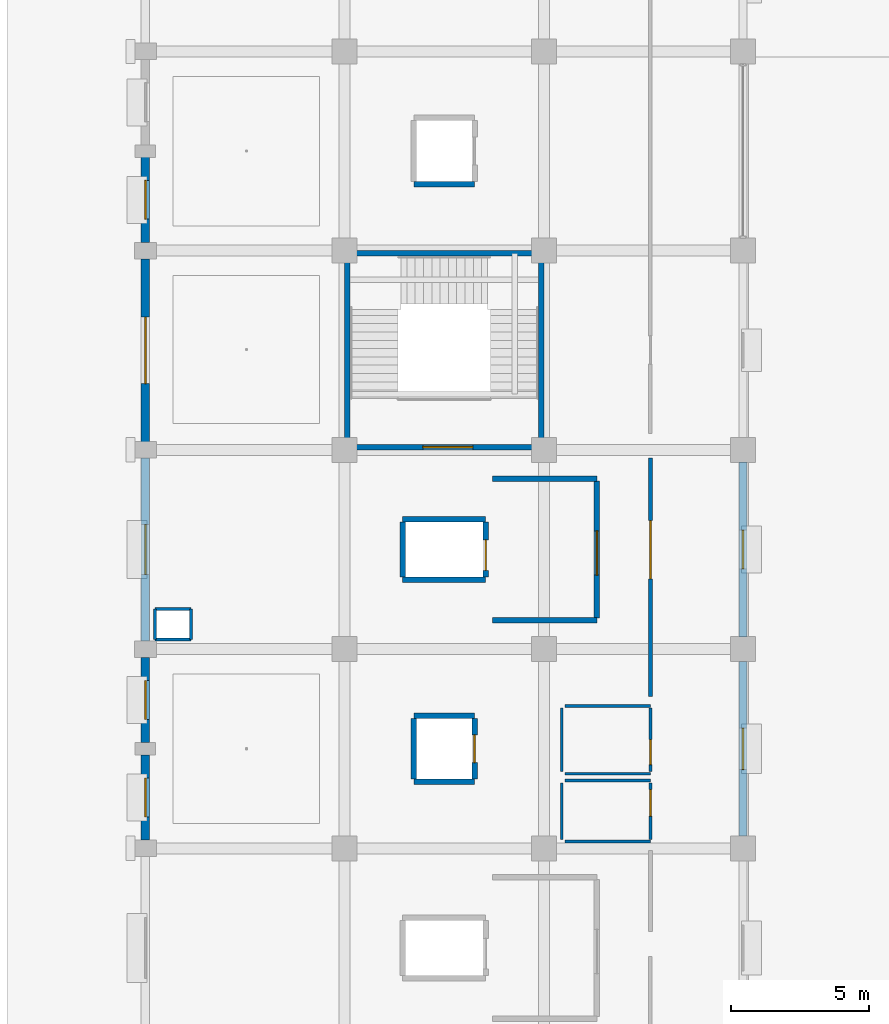
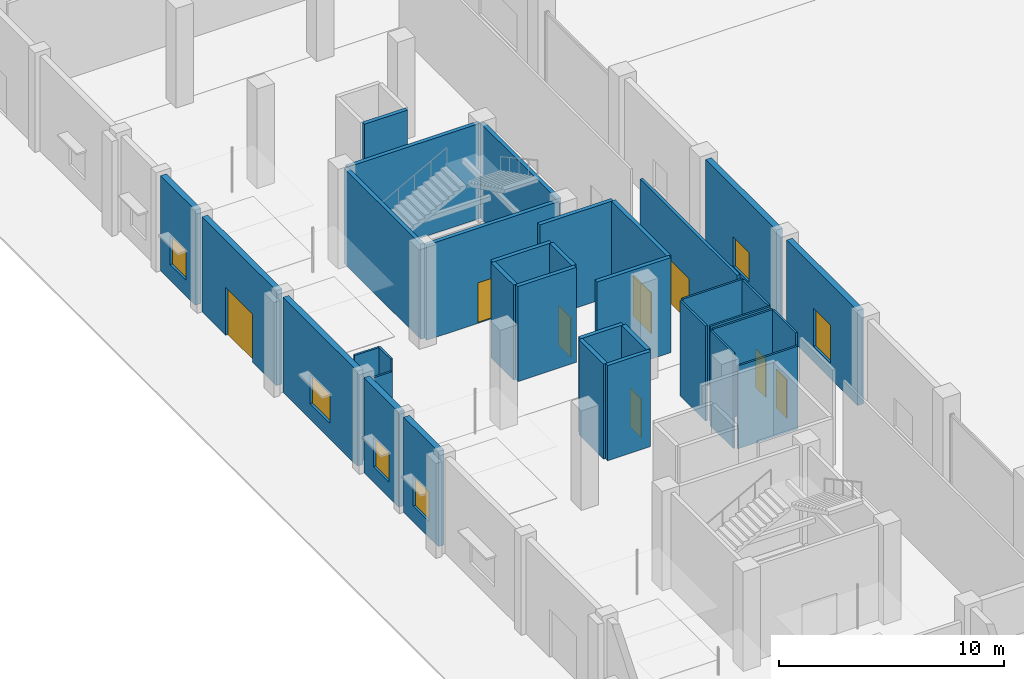
# One storey, part 60 of 90: 36 walls, 8 doors, 6 windows, 14 openings.
"""IFC4 building model written with IfcOpenShell, lengths in metres."""

from ifc_helpers import new_model, si_unit, direction, frame, frame_2d, origin, place, context, subcontext, project, spatial, rectangle, extrude, material, layer, layer_set, type_object, element, fill, save


model = new_model("IFC4")

# Units and contexts
model_context = context("Model", 3, precision=1e-05, world=origin(), true_north=direction((0.0, 1.0)))
body_context = subcontext(model_context, "Body", "Model", "MODEL_VIEW")
ifc_project = project(units=[si_unit("LENGTHUNIT", "METRE"), si_unit("AREAUNIT", "SQUARE_METRE"), si_unit("VOLUMEUNIT", "CUBIC_METRE"), si_unit("PLANEANGLEUNIT", "RADIAN"), si_unit("MASSUNIT", "GRAM", prefix="KILO")], contexts=[model_context])

# Site, building, storey
site_placement = place(None, origin())
site = spatial("IfcSite", under=ifc_project, at=site_placement, CompositionType="ELEMENT")
building_placement = place(site_placement, origin())
building = spatial("IfcBuilding", under=site, at=building_placement, Name="Kangsadwip Square Police Headquarters", CompositionType="ELEMENT")
storey_placement = place(building_placement, origin())
storey = spatial("IfcBuildingStorey", under=building, at=storey_placement, Name="L00", CompositionType="ELEMENT", Elevation=0.0)

# Wall, opening, door
ifc_material_1 = material(Name="Autoclaved aerated concrete blockwork masonry", Category="masonry")
ifc_layer_1 = layer(ifc_material_1, 0.14990234375)
ifc_layer_set_1 = layer_set([ifc_layer_1], Name="Autoclaved aerated concrete blockwork masonry")
wall_type_1 = type_object("IfcWallType", Name="BlockPartition150", PredefinedType="PARTITIONING", material=ifc_layer_set_1)
wall_1_placement = place(storey_placement, frame((18.25, 63.080078125, 0.0), z_axis=(0.0, 0.0, 1.0), x_axis=(0.0, 1.0, 0.0)))
wall_1 = element("IfcWall", 1, at=wall_1_placement, inside=storey, type_object=wall_type_1, Name="Interior Wall WI-L00-0693", PredefinedType="PARTITIONING", context=body_context, shape_type="SweptSolid", body=[
    extrude(rectangle(XDim=8.619873046875, YDim=0.14990234375, at=frame_2d((4.31005859375, 0.0))), origin(), (0.0, 0.0, 1.0), 5.159912109375),
])
opening_1_placement = place(wall_1_placement, frame((4.262939453125, 0.0, 0.0)))
opening_1 = element("IfcOpeningElement", 2, at=opening_1_placement, cuts=wall_1, Name="Opening ID-21", PredefinedType="OPENING", context=body_context, shape_type="SweptSolid", body=[
    extrude(rectangle(XDim=2.10009765625, YDim=2.39990234375, at=frame_2d((1.050048828125, 1.199951171875))), frame((0.0, 0.0849609375, 0.0), z_axis=(0.0, -1.0, 0.0), x_axis=(1.0, 0.0, 0.0)), (0.0, 0.0, 1.0), 0.169921875),
])
ifc_material_2 = material(Name="Solid-core seasoned teak hardwood architectural door", Category="wood")
door_type_1 = type_object("IfcDoorType", Name="HallDoubleDoor2100x2400", OperationType="DOUBLE_DOOR_SINGLE_SWING", PredefinedType="DOOR", material=ifc_material_2)
door_1_placement = place(opening_1_placement, origin())
door_1 = element("IfcDoor", 3, at=door_1_placement, inside=storey, type_object=door_type_1, Name="Interior Door ID-L00-0143", OperationType="DOUBLE_DOOR_SINGLE_SWING", OverallHeight=2.39990234375, OverallWidth=2.10009765625, PredefinedType="DOOR", context=body_context, shape_type="SweptSolid", body=[
    extrude(rectangle(XDim=2.10009765625, YDim=2.39990234375, at=frame_2d((1.050048828125, 1.199951171875))), frame((0.0, 0.02490234375, 0.0), z_axis=(0.0, -1.0, 0.0), x_axis=(1.0, 0.0, 0.0)), (0.0, 0.0, 1.0), 0.050048828125),
])
fill(opening_1, door_1)

ifc_material_3 = material(Name="Concrete M40 (40 MPa)", Category="concrete")
ifc_layer_2 = layer(ifc_material_3, 0.199951171875)
ifc_layer_set_2 = layer_set([ifc_layer_2], Name="Concrete M40 (40 MPa)")
wall_type_2 = type_object("IfcWallType", Name="CoreShearWall200", PredefinedType="SHEAR", material=ifc_layer_set_2)
wall_2_placement = place(storey_placement, frame((7.39990234375, 72.10009765625, 0.0), z_axis=(0.0, 0.0, 1.0), x_axis=(1.0, 0.0, 0.0)))
wall_2 = element("IfcWall", 4, at=wall_2_placement, inside=storey, type_object=wall_type_2, Name="Interior Wall WI-L00-0053", PredefinedType="SHEAR", context=body_context, shape_type="SweptSolid", body=[
    extrude(rectangle(XDim=6.800048828125, YDim=0.199951171875, at=frame_2d((3.39990234375, 0.0))), origin(), (0.0, 0.0, 1.0), 5.159912109375),
])
opening_2_placement = place(wall_2_placement, frame((2.632080078125, 0.0, 0.0)))
opening_2 = element("IfcOpeningElement", 5, at=opening_2_placement, cuts=wall_2, Name="Opening FD-18", PredefinedType="OPENING", context=body_context, shape_type="SweptSolid", body=[
    extrude(rectangle(XDim=1.800048828125, YDim=2.199951171875, at=frame_2d((0.89990234375, 1.10009765625))), frame((0.0, 0.10986328125, 0.0), z_axis=(0.0, -1.0, 0.0), x_axis=(1.0, 0.0, 0.0)), (0.0, 0.0, 1.0), 0.219970703125),
])
ifc_material_4 = material(Name="Insulated galvanized steel fire-rated door assembly", Category="steel")
door_type_2 = type_object("IfcDoorType", Name="StairFireDoor1800x2200", OperationType="DOUBLE_DOOR_SINGLE_SWING", PredefinedType="DOOR", material=ifc_material_4)
door_2_placement = place(opening_2_placement, origin())
door_2 = element("IfcDoor", 6, at=door_2_placement, inside=storey, type_object=door_type_2, Name="Interior Door ID-L00-0011", OperationType="DOUBLE_DOOR_SINGLE_SWING", OverallHeight=2.199951171875, OverallWidth=1.800048828125, PredefinedType="DOOR", context=body_context, shape_type="SweptSolid", body=[
    extrude(rectangle(XDim=1.800048828125, YDim=2.199951171875, at=frame_2d((0.89990234375, 1.10009765625))), frame((0.0, 0.02490234375, 0.0), z_axis=(0.0, -1.0, 0.0), x_axis=(1.0, 0.0, 0.0)), (0.0, 0.0, 1.0), 0.050048828125),
])
fill(opening_2, door_2)

# Walls
for number, where, z_axis, x_axis, name in (
    (7, (7.39990234375, 79.10009765625, 0.0), (0.0, 0.0, 1.0), (1.0, 0.0, 0.0), "Interior Wall WI-L00-0054"),
    (8, (7.300048828125, 72.199951171875, 0.0), (0.0, 0.0, 1.0), (0.0, 1.0, 0.0), "Interior Wall WI-L00-0055"),
    (9, (14.300048828125, 72.199951171875, 0.0), (0.0, 0.0, 1.0), (0.0, 1.0, 0.0), "Interior Wall WI-L00-0056"),
):
    element("IfcWall", number, at=place(storey_placement, frame(where, z_axis=z_axis, x_axis=x_axis)), inside=storey, type_object=wall_type_2, Name=name, PredefinedType="SHEAR", context=body_context, shape_type="SweptSolid", body=[
        extrude(rectangle(XDim=6.800048828125, YDim=0.199951171875, at=frame_2d((3.39990234375, 0.0))), origin(), (0.0, 0.0, 1.0), 5.159912109375),
    ])
for number, where, z_axis, x_axis, name in (
    (10, (9.300048828125, 67.300048828125, 0.0), (0.0, 0.0, 1.0), (1.0, 0.0, 0.0), "Interior Wall WI-L00-0275"),
    (11, (9.300048828125, 69.5, 0.0), (0.0, 0.0, 1.0), (1.0, 0.0, 0.0), "Interior Wall WI-L00-0276"),
):
    element("IfcWall", number, at=place(storey_placement, frame(where, z_axis=z_axis, x_axis=x_axis)), inside=storey, type_object=wall_type_2, Name=name, PredefinedType="SHEAR", context=body_context, shape_type="SweptSolid", body=[
        extrude(rectangle(XDim=3.0, YDim=0.199951171875, at=frame_2d((1.5, 0.0))), origin(), (0.0, 0.0, 1.0), 5.159912109375),
    ])
wall_3_placement = place(storey_placement, frame((9.300048828125, 67.39990234375, 0.0), z_axis=(0.0, 0.0, 1.0), x_axis=(0.0, 1.0, 0.0)))
element("IfcWall", 12, at=wall_3_placement, inside=storey, type_object=wall_type_2, Name="Interior Wall WI-L00-0277", PredefinedType="SHEAR", context=body_context, shape_type="SweptSolid", body=[
    extrude(rectangle(XDim=2.0, YDim=0.199951171875, at=frame_2d((1.0, 0.0))), origin(), (0.0, 0.0, 1.0), 5.159912109375),
])

# Wall, opening, door
wall_4_placement = place(storey_placement, frame((12.300048828125, 67.39990234375, 0.0), z_axis=(0.0, 0.0, 1.0), x_axis=(0.0, 1.0, 0.0)))
wall_4 = element("IfcWall", 13, at=wall_4_placement, inside=storey, type_object=wall_type_2, Name="Interior Wall WI-L00-0278", PredefinedType="SHEAR", context=body_context, shape_type="SweptSolid", body=[
    extrude(rectangle(XDim=2.0, YDim=0.199951171875, at=frame_2d((1.0, 0.0))), origin(), (0.0, 0.0, 1.0), 5.159912109375),
])
opening_3_placement = place(wall_4_placement, frame((0.25, 0.0, 0.0)))
opening_3 = element("IfcOpeningElement", 14, at=opening_3_placement, cuts=wall_4, Name="Opening LD-011", PredefinedType="OPENING", context=body_context, shape_type="SweptSolid", body=[
    extrude(rectangle(XDim=1.10009765625, YDim=2.14990234375, at=frame_2d((0.550048828125, 1.074951171875))), frame((0.0, 0.10986328125, 0.0), z_axis=(0.0, -1.0, 0.0), x_axis=(1.0, 0.0, 0.0)), (0.0, 0.0, 1.0), 0.219970703125),
])
ifc_material_5 = material(Name="Brushed stainless steel automatic sliding lift landing door", Category="steel")
door_type_3 = type_object("IfcDoorType", Name="LiftLandingDoor1100x2150", OperationType="DOUBLE_DOOR_SLIDING", PredefinedType="DOOR", material=ifc_material_5)
door_3_placement = place(opening_3_placement, origin())
door_3 = element("IfcDoor", 15, at=door_3_placement, inside=storey, type_object=door_type_3, Name="Interior Door LD-011", OperationType="DOUBLE_DOOR_SLIDING", OverallHeight=2.14990234375, OverallWidth=1.10009765625, PredefinedType="DOOR", context=body_context, shape_type="SweptSolid", body=[
    extrude(rectangle(XDim=1.10009765625, YDim=2.14990234375, at=frame_2d((0.550048828125, 1.074951171875))), frame((0.0, 0.02490234375, 0.0), z_axis=(0.0, -1.0, 0.0), x_axis=(1.0, 0.0, 0.0)), (0.0, 0.0, 1.0), 0.050048828125),
])
fill(opening_3, door_3)

# Walls
for number, where, z_axis, x_axis, name in (
    (16, (9.699951171875, 60.0, 0.0), (0.0, 0.0, 1.0), (1.0, 0.0, 0.0), "Interior Wall WI-L00-0351"),
    (17, (9.699951171875, 62.39990234375, 0.0), (0.0, 0.0, 1.0), (1.0, 0.0, 0.0), "Interior Wall WI-L00-0352"),
    (18, (9.699951171875, 60.10009765625, 0.0), (0.0, 0.0, 1.0), (0.0, 1.0, 0.0), "Interior Wall WI-L00-0353"),
):
    element("IfcWall", number, at=place(storey_placement, frame(where, z_axis=z_axis, x_axis=x_axis)), inside=storey, type_object=wall_type_2, Name=name, PredefinedType="SHEAR", context=body_context, shape_type="SweptSolid", body=[
        extrude(rectangle(XDim=2.199951171875, YDim=0.199951171875, at=frame_2d((1.10009765625, 0.0))), origin(), (0.0, 0.0, 1.0), 5.159912109375),
    ])

# Wall, opening, door
wall_5_placement = place(storey_placement, frame((11.89990234375, 60.10009765625, 0.0), z_axis=(0.0, 0.0, 1.0), x_axis=(0.0, 1.0, 0.0)))
wall_5 = element("IfcWall", 19, at=wall_5_placement, inside=storey, type_object=wall_type_2, Name="Interior Wall WI-L00-0354", PredefinedType="SHEAR", context=body_context, shape_type="SweptSolid", body=[
    extrude(rectangle(XDim=2.199951171875, YDim=0.199951171875, at=frame_2d((1.10009765625, 0.0))), origin(), (0.0, 0.0, 1.0), 5.159912109375),
])
opening_4_placement = place(wall_5_placement, frame((0.60009765625, 0.0, 0.0)))
opening_4 = element("IfcOpeningElement", 20, at=opening_4_placement, cuts=wall_5, Name="Opening LD-028", PredefinedType="OPENING", context=body_context, shape_type="SweptSolid", body=[
    extrude(rectangle(XDim=1.0, YDim=2.10009765625, at=frame_2d((0.5, 1.050048828125))), frame((0.0, 0.10986328125, 0.0), z_axis=(0.0, -1.0, 0.0), x_axis=(1.0, 0.0, 0.0)), (0.0, 0.0, 1.0), 0.219970703125),
])
ifc_material_6 = material(Name="Brushed stainless steel automatic sliding lift landing door", Category="steel")
door_type_4 = type_object("IfcDoorType", Name="LiftLandingDoor1000x2100", OperationType="DOUBLE_DOOR_SLIDING", PredefinedType="DOOR", material=ifc_material_6)
door_4_placement = place(opening_4_placement, origin())
door_4 = element("IfcDoor", 21, at=door_4_placement, inside=storey, type_object=door_type_4, Name="Interior Door LD-028", OperationType="DOUBLE_DOOR_SLIDING", OverallHeight=2.10009765625, OverallWidth=1.0, PredefinedType="DOOR", context=body_context, shape_type="SweptSolid", body=[
    extrude(rectangle(XDim=1.0, YDim=2.10009765625, at=frame_2d((0.5, 1.050048828125))), frame((0.0, 0.02490234375, 0.0), z_axis=(0.0, -1.0, 0.0), x_axis=(1.0, 0.0, 0.0)), (0.0, 0.0, 1.0), 0.050048828125),
])
fill(opening_4, door_4)

# Wall
wall_6_placement = place(storey_placement, frame((9.699951171875, 81.60009765625, 0.0), z_axis=(0.0, 0.0, 1.0), x_axis=(1.0, 0.0, 0.0)))
element("IfcWall", 22, at=wall_6_placement, inside=storey, type_object=wall_type_2, Name="Interior Wall WI-L00-0391", PredefinedType="SHEAR", context=body_context, shape_type="SweptSolid", body=[
    extrude(rectangle(XDim=2.199951171875, YDim=0.199951171875, at=frame_2d((1.10009765625, 0.0))), origin(), (0.0, 0.0, 1.0), 5.159912109375),
])

# Wall, opening, door
ifc_material_7 = material(Name="Concrete M40 (40 MPa)", Category="concrete")
ifc_layer_3 = layer(ifc_material_7, 0.199951171875)
ifc_layer_set_3 = layer_set([ifc_layer_3], Name="Concrete M40 (40 MPa)")
wall_type_3 = type_object("IfcWallType", Name="CustodySecurityWall200", PredefinedType="SOLIDWALL", material=ifc_layer_set_3)
wall_7_placement = place(storey_placement, frame((16.320068359375, 65.929931640625, 0.0), z_axis=(0.0, 0.0, 1.0), x_axis=(0.0, 1.0, 0.0)))
wall_7 = element("IfcWall", 23, at=wall_7_placement, inside=storey, type_object=wall_type_3, Name="Interior Wall WI-L00-0663", PredefinedType="SOLIDWALL", context=body_context, shape_type="SweptSolid", body=[
    extrude(rectangle(XDim=4.940185546875, YDim=0.199951171875, at=frame_2d((2.47021484375, 0.0))), origin(), (0.0, 0.0, 1.0), 5.159912109375),
])
opening_5_placement = place(wall_7_placement, frame((1.541015625, 0.0, 0.0)))
opening_5 = element("IfcOpeningElement", 24, at=opening_5_placement, cuts=wall_7, Name="Opening FD-16", PredefinedType="OPENING", context=body_context, shape_type="SweptSolid", body=[
    extrude(rectangle(XDim=1.60009765625, YDim=2.199951171875, at=frame_2d((0.800048828125, 1.10009765625))), frame((0.0, 0.10986328125, 0.0), z_axis=(0.0, -1.0, 0.0), x_axis=(1.0, 0.0, 0.0)), (0.0, 0.0, 1.0), 0.219970703125),
])
ifc_material_8 = material(Name="Insulated galvanized steel fire-rated door assembly", Category="steel")
door_type_5 = type_object("IfcDoorType", Name="FfLobbyFireDoor1600x2200", OperationType="DOUBLE_DOOR_SINGLE_SWING", PredefinedType="DOOR", material=ifc_material_8)
door_5_placement = place(opening_5_placement, origin())
door_5 = element("IfcDoor", 25, at=door_5_placement, inside=storey, type_object=door_type_5, Name="Interior Door ID-L00-0127", OperationType="DOUBLE_DOOR_SINGLE_SWING", OverallHeight=2.199951171875, OverallWidth=1.60009765625, PredefinedType="DOOR", context=body_context, shape_type="SweptSolid", body=[
    extrude(rectangle(XDim=1.60009765625, YDim=2.199951171875, at=frame_2d((0.800048828125, 1.10009765625))), frame((0.0, 0.02490234375, 0.0), z_axis=(0.0, -1.0, 0.0), x_axis=(1.0, 0.0, 0.0)), (0.0, 0.0, 1.0), 0.050048828125),
])
fill(opening_5, door_5)

# Walls
for number, where, z_axis, x_axis, name in (
    (26, (12.5400390625, 65.85009765625, 0.0), (0.0, 0.0, 1.0), (1.0, 0.0, 0.0), "Interior Wall WI-L00-0664"),
    (27, (12.5400390625, 70.949951171875, 0.0), (0.0, 0.0, 1.0), (1.0, 0.0, 0.0), "Interior Wall WI-L00-0665"),
):
    element("IfcWall", number, at=place(storey_placement, frame(where, z_axis=z_axis, x_axis=x_axis)), inside=storey, type_object=wall_type_3, Name=name, PredefinedType="SOLIDWALL", context=body_context, shape_type="SweptSolid", body=[
        extrude(rectangle(XDim=3.780029296875, YDim=0.199951171875, at=frame_2d((1.89013671875, 0.0))), origin(), (0.0, 0.0, 1.0), 5.159912109375),
    ])

# Wall, opening, window
ifc_material_9 = material(Name="Glazed architectural terracotta masonry rainscreen", Category="masonry")
ifc_layer_4 = layer(ifc_material_9, 0.300048828125)
ifc_layer_set_4 = layer_set([ifc_layer_4], Name="Glazed architectural terracotta masonry rainscreen")
wall_type_4 = type_object("IfcWallType", Name="PlinthArcadeWall300", PredefinedType="SOLIDWALL", material=ifc_layer_set_4)
wall_8_placement = place(storey_placement, frame((0.0, 57.89501953125, 0.0), z_axis=(0.0, 0.0, 1.0), x_axis=(0.0, 1.0, 0.0)))
wall_8 = element("IfcWall", 28, at=wall_8_placement, inside=storey, type_object=wall_type_4, Name="Exterior Wall WE-L00-172", PredefinedType="SOLIDWALL", context=body_context, shape_type="SweptSolid", body=[
    extrude(rectangle(XDim=3.0849609375, YDim=0.300048828125, at=frame_2d((1.54248046875, 0.0))), origin(), (0.0, 0.0, 1.0), 5.159912109375),
])
opening_6_placement = place(wall_8_placement, frame((0.842529296875, 0.0, 0.85009765625)))
opening_6 = element("IfcOpeningElement", 29, at=opening_6_placement, cuts=wall_8, Name="Opening WN-13", PredefinedType="OPENING", context=body_context, shape_type="SweptSolid", body=[
    extrude(rectangle(XDim=1.39990234375, YDim=1.60009765625, at=frame_2d((0.699951171875, 0.800048828125))), frame((0.0, 0.159912109375, 0.0), z_axis=(0.0, -1.0, 0.0), x_axis=(1.0, 0.0, 0.0)), (0.0, 0.0, 1.0), 0.320068359375),
])
ifc_material_10 = material(Name="Double-glazed solar-control low-E safety glass", Category="glass")
window_type_1 = type_object("IfcWindowType", Name="OfficeCasementWin1400x1600", PartitioningType="SINGLE_PANEL", PredefinedType="WINDOW", material=ifc_material_10)
window_1_placement = place(opening_6_placement, origin())
window_1 = element("IfcWindow", 30, at=window_1_placement, inside=storey, type_object=window_type_1, Name="Window WN-L00-0030", OverallHeight=1.60009765625, OverallWidth=1.39990234375, PartitioningType="SINGLE_PANEL", PredefinedType="WINDOW", context=body_context, shape_type="SweptSolid", body=[
    extrude(rectangle(XDim=1.39990234375, YDim=1.60009765625, at=frame_2d((0.699951171875, 0.800048828125))), frame((0.0, 0.030029296875, 0.0), z_axis=(0.0, -1.0, 0.0), x_axis=(1.0, 0.0, 0.0)), (0.0, 0.0, 1.0), 0.06005859375),
])
fill(opening_6, window_1)

wall_9_placement = place(storey_placement, frame((0.0, 61.419921875, 0.0), z_axis=(0.0, 0.0, 1.0), x_axis=(0.0, 1.0, 0.0)))
wall_9 = element("IfcWall", 31, at=wall_9_placement, inside=storey, type_object=wall_type_4, Name="Exterior Wall WE-L00-173", PredefinedType="SOLIDWALL", context=body_context, shape_type="SweptSolid", body=[
    extrude(rectangle(XDim=3.0849609375, YDim=0.300048828125, at=frame_2d((1.54248046875, 0.0))), origin(), (0.0, 0.0, 1.0), 5.159912109375),
])
opening_7_placement = place(wall_9_placement, frame((0.842529296875, 0.0, 0.85009765625)))
opening_7 = element("IfcOpeningElement", 32, at=opening_7_placement, cuts=wall_9, Name="Opening WN-13", PredefinedType="OPENING", context=body_context, shape_type="SweptSolid", body=[
    extrude(rectangle(XDim=1.39990234375, YDim=1.60009765625, at=frame_2d((0.699951171875, 0.800048828125))), frame((0.0, 0.159912109375, 0.0), z_axis=(0.0, -1.0, 0.0), x_axis=(1.0, 0.0, 0.0)), (0.0, 0.0, 1.0), 0.320068359375),
])
window_2_placement = place(opening_7_placement, origin())
window_2 = element("IfcWindow", 33, at=window_2_placement, inside=storey, type_object=window_type_1, Name="Window WN-L00-0031", OverallHeight=1.60009765625, OverallWidth=1.39990234375, PartitioningType="SINGLE_PANEL", PredefinedType="WINDOW", context=body_context, shape_type="SweptSolid", body=[
    extrude(rectangle(XDim=1.39990234375, YDim=1.60009765625, at=frame_2d((0.699951171875, 0.800048828125))), frame((0.0, 0.030029296875, 0.0), z_axis=(0.0, -1.0, 0.0), x_axis=(1.0, 0.0, 0.0)), (0.0, 0.0, 1.0), 0.06005859375),
])
fill(opening_7, window_2)

wall_10_placement = place(storey_placement, frame((0.0, 65.094970703125, 0.0), z_axis=(0.0, 0.0, 1.0), x_axis=(0.0, 1.0, 0.0)))
wall_10 = element("IfcWall", 34, at=wall_10_placement, inside=storey, type_object=wall_type_4, Name="Exterior Wall WE-L00-174", PredefinedType="SOLIDWALL", context=body_context, shape_type="SweptSolid", body=[
    extrude(rectangle(XDim=6.610107421875, YDim=0.300048828125, at=frame_2d((3.30517578125, 0.0))), origin(), (0.0, 0.0, 1.0), 5.159912109375),
])
opening_8_placement = place(wall_10_placement, frame((2.405029296875, 0.0, 0.85009765625)))
opening_8 = element("IfcOpeningElement", 35, at=opening_8_placement, cuts=wall_10, Name="Opening WN-10", PredefinedType="OPENING", context=body_context, shape_type="SweptSolid", body=[
    extrude(rectangle(XDim=1.800048828125, YDim=1.60009765625, at=frame_2d((0.89990234375, 0.800048828125))), frame((0.0, 0.159912109375, 0.0), z_axis=(0.0, -1.0, 0.0), x_axis=(1.0, 0.0, 0.0)), (0.0, 0.0, 1.0), 0.320068359375),
])
ifc_material_11 = material(Name="Double-glazed solar-control low-E safety glass", Category="glass")
window_type_2 = type_object("IfcWindowType", Name="LabCleanViewWin1800x1600", PartitioningType="DOUBLE_PANEL_VERTICAL", PredefinedType="WINDOW", material=ifc_material_11)
window_3_placement = place(opening_8_placement, origin())
window_3 = element("IfcWindow", 36, at=window_3_placement, inside=storey, type_object=window_type_2, Name="Window WN-L00-0032", OverallHeight=1.60009765625, OverallWidth=1.800048828125, PartitioningType="SINGLE_PANEL", PredefinedType="WINDOW", context=body_context, shape_type="SweptSolid", body=[
    extrude(rectangle(XDim=1.800048828125, YDim=1.60009765625, at=frame_2d((0.89990234375, 0.800048828125))), frame((0.0, 0.030029296875, 0.0), z_axis=(0.0, -1.0, 0.0), x_axis=(1.0, 0.0, 0.0)), (0.0, 0.0, 1.0), 0.06005859375),
])
fill(opening_8, window_3)

# Wall, opening, door
wall_11_placement = place(storey_placement, frame((0.0, 72.294921875, 0.0), z_axis=(0.0, 0.0, 1.0), x_axis=(0.0, 1.0, 0.0)))
wall_11 = element("IfcWall", 37, at=wall_11_placement, inside=storey, type_object=wall_type_4, Name="Exterior Wall WE-L00-175", PredefinedType="SOLIDWALL", context=body_context, shape_type="SweptSolid", body=[
    extrude(rectangle(XDim=6.610107421875, YDim=0.300048828125, at=frame_2d((3.30517578125, 0.0))), origin(), (0.0, 0.0, 1.0), 5.159912109375),
])
opening_9_placement = place(wall_11_placement, frame((2.10498046875, 0.0, 0.0)))
opening_9 = element("IfcOpeningElement", 38, at=opening_9_placement, cuts=wall_11, Name="Opening ED-02", PredefinedType="OPENING", context=body_context, shape_type="SweptSolid", body=[
    extrude(rectangle(XDim=2.39990234375, YDim=2.60009765625, at=frame_2d((1.199951171875, 1.300048828125))), frame((0.0, 0.159912109375, 0.0), z_axis=(0.0, -1.0, 0.0), x_axis=(1.0, 0.0, 0.0)), (0.0, 0.0, 1.0), 0.320068359375),
])
ifc_material_12 = material(Name="Galvanized hollow-metal architectural steel door assembly", Category="steel")
door_type_6 = type_object("IfcDoorType", Name="CivicEntranceDoubleDoor2400x2600", OperationType="DOUBLE_DOOR_SINGLE_SWING", PredefinedType="DOOR", material=ifc_material_12)
door_6_placement = place(opening_9_placement, origin())
door_6 = element("IfcDoor", 39, at=door_6_placement, inside=storey, type_object=door_type_6, Name="Exterior Door ED-02", OperationType="DOUBLE_DOOR_SINGLE_SWING", OverallHeight=2.60009765625, OverallWidth=2.39990234375, PredefinedType="DOOR", context=body_context, shape_type="SweptSolid", body=[
    extrude(rectangle(XDim=2.39990234375, YDim=2.60009765625, at=frame_2d((1.199951171875, 1.300048828125))), frame((0.0, 0.02490234375, 0.0), z_axis=(0.0, -1.0, 0.0), x_axis=(1.0, 0.0, 0.0)), (0.0, 0.0, 1.0), 0.050048828125),
])
fill(opening_9, door_6)

# Wall, opening, window
wall_12_placement = place(storey_placement, frame((0.0, 79.4951171875, 0.0), z_axis=(0.0, 0.0, 1.0), x_axis=(0.0, 1.0, 0.0)))
wall_12 = element("IfcWall", 40, at=wall_12_placement, inside=storey, type_object=wall_type_4, Name="Exterior Wall WE-L00-176", PredefinedType="SOLIDWALL", context=body_context, shape_type="SweptSolid", body=[
    extrude(rectangle(XDim=3.0849609375, YDim=0.300048828125, at=frame_2d((1.54248046875, 0.0))), origin(), (0.0, 0.0, 1.0), 5.159912109375),
])
opening_10_placement = place(wall_12_placement, frame((0.842529296875, 0.0, 0.85009765625)))
opening_10 = element("IfcOpeningElement", 41, at=opening_10_placement, cuts=wall_12, Name="Opening WN-13", PredefinedType="OPENING", context=body_context, shape_type="SweptSolid", body=[
    extrude(rectangle(XDim=1.39990234375, YDim=1.60009765625, at=frame_2d((0.699951171875, 0.800048828125))), frame((0.0, 0.159912109375, 0.0), z_axis=(0.0, -1.0, 0.0), x_axis=(1.0, 0.0, 0.0)), (0.0, 0.0, 1.0), 0.320068359375),
])
window_4_placement = place(opening_10_placement, origin())
window_4 = element("IfcWindow", 42, at=window_4_placement, inside=storey, type_object=window_type_1, Name="Window WN-L00-0033", OverallHeight=1.60009765625, OverallWidth=1.39990234375, PartitioningType="SINGLE_PANEL", PredefinedType="WINDOW", context=body_context, shape_type="SweptSolid", body=[
    extrude(rectangle(XDim=1.39990234375, YDim=1.60009765625, at=frame_2d((0.699951171875, 0.800048828125))), frame((0.0, 0.030029296875, 0.0), z_axis=(0.0, -1.0, 0.0), x_axis=(1.0, 0.0, 0.0)), (0.0, 0.0, 1.0), 0.06005859375),
])
fill(opening_10, window_4)

wall_13_placement = place(storey_placement, frame((21.60009765625, 58.044921875, 0.0), z_axis=(0.0, 0.0, 1.0), x_axis=(0.0, 1.0, 0.0)))
wall_13 = element("IfcWall", 43, at=wall_13_placement, inside=storey, type_object=wall_type_4, Name="Exterior Wall WE-L00-185", PredefinedType="SOLIDWALL", context=body_context, shape_type="SweptSolid", body=[
    extrude(rectangle(XDim=6.31005859375, YDim=0.300048828125, at=frame_2d((3.155029296875, 0.0))), origin(), (0.0, 0.0, 1.0), 5.159912109375),
])
opening_11_placement = place(wall_13_placement, frame((2.405029296875, 0.0, 0.85009765625)))
opening_11 = element("IfcOpeningElement", 44, at=opening_11_placement, cuts=wall_13, Name="Opening WN-12", PredefinedType="OPENING", context=body_context, shape_type="SweptSolid", body=[
    extrude(rectangle(XDim=1.5, YDim=2.050048828125, at=frame_2d((0.75, 1.02490234375))), frame((0.0, 0.159912109375, 0.0), z_axis=(0.0, -1.0, 0.0), x_axis=(1.0, 0.0, 0.0)), (0.0, 0.0, 1.0), 0.320068359375),
])
ifc_material_13 = material(Name="Double-glazed solar-control low-E safety glass", Category="glass")
window_type_3 = type_object("IfcWindowType", Name="DirectorateTallWin1500x2050", PartitioningType="SINGLE_PANEL", PredefinedType="WINDOW", material=ifc_material_13)
window_5_placement = place(opening_11_placement, origin())
window_5 = element("IfcWindow", 45, at=window_5_placement, inside=storey, type_object=window_type_3, Name="Window WN-L00-0041", OverallHeight=2.050048828125, OverallWidth=1.5, PartitioningType="SINGLE_PANEL", PredefinedType="WINDOW", context=body_context, shape_type="SweptSolid", body=[
    extrude(rectangle(XDim=1.5, YDim=2.050048828125, at=frame_2d((0.75, 1.02490234375))), frame((0.0, 0.030029296875, 0.0), z_axis=(0.0, -1.0, 0.0), x_axis=(1.0, 0.0, 0.0)), (0.0, 0.0, 1.0), 0.06005859375),
])
fill(opening_11, window_5)

wall_14_placement = place(storey_placement, frame((21.60009765625, 65.2451171875, 0.0), z_axis=(0.0, 0.0, 1.0), x_axis=(0.0, 1.0, 0.0)))
wall_14 = element("IfcWall", 46, at=wall_14_placement, inside=storey, type_object=wall_type_4, Name="Exterior Wall WE-L00-186", PredefinedType="SOLIDWALL", context=body_context, shape_type="SweptSolid", body=[
    extrude(rectangle(XDim=6.309814453125, YDim=0.300048828125, at=frame_2d((3.15478515625, 0.0))), origin(), (0.0, 0.0, 1.0), 5.159912109375),
])
opening_12_placement = place(wall_14_placement, frame((2.455078125, 0.0, 0.85009765625)))
opening_12 = element("IfcOpeningElement", 47, at=opening_12_placement, cuts=wall_14, Name="Opening WN-13", PredefinedType="OPENING", context=body_context, shape_type="SweptSolid", body=[
    extrude(rectangle(XDim=1.39990234375, YDim=1.60009765625, at=frame_2d((0.699951171875, 0.800048828125))), frame((0.0, 0.159912109375, 0.0), z_axis=(0.0, -1.0, 0.0), x_axis=(1.0, 0.0, 0.0)), (0.0, 0.0, 1.0), 0.320068359375),
])
window_6_placement = place(opening_12_placement, origin())
window_6 = element("IfcWindow", 48, at=window_6_placement, inside=storey, type_object=window_type_1, Name="Window WN-L00-0042", OverallHeight=1.60009765625, OverallWidth=1.39990234375, PartitioningType="SINGLE_PANEL", PredefinedType="WINDOW", context=body_context, shape_type="SweptSolid", body=[
    extrude(rectangle(XDim=1.39990234375, YDim=1.60009765625, at=frame_2d((0.699951171875, 0.800048828125))), frame((0.0, 0.030029296875, 0.0), z_axis=(0.0, -1.0, 0.0), x_axis=(1.0, 0.0, 0.0)), (0.0, 0.0, 1.0), 0.06005859375),
])
fill(opening_12, window_6)

# Walls
ifc_material_14 = material(Name="Autoclaved aerated concrete blockwork masonry", Category="masonry")
ifc_layer_5 = layer(ifc_material_14, 0.10009765625)
ifc_layer_set_5 = layer_set([ifc_layer_5], Name="Autoclaved aerated concrete blockwork masonry")
wall_type_5 = type_object("IfcWallType", Name="WetWallPartition100", PredefinedType="PARTITIONING", material=ifc_layer_set_5)
wall_15_placement = place(storey_placement, frame((0.35009765625, 65.14990234375, 0.0), z_axis=(0.0, 0.0, 1.0), x_axis=(1.0, 0.0, 0.0)))
element("IfcWall", 49, at=wall_15_placement, inside=storey, type_object=wall_type_5, Name="Interior Wall WI-L00-0547", PredefinedType="PARTITIONING", context=body_context, shape_type="SweptSolid", body=[
    extrude(rectangle(XDim=1.2998046875, YDim=0.10009765625, at=frame_2d((0.64990234375, 0.0))), origin(), (0.0, 0.0, 1.0), 4.5),
])
wall_16_placement = place(storey_placement, frame((0.35009765625, 66.25, 0.0), z_axis=(0.0, 0.0, 1.0), x_axis=(1.0, 0.0, 0.0)))
element("IfcWall", 50, at=wall_16_placement, inside=storey, type_object=wall_type_5, Name="Interior Wall WI-L00-0548", PredefinedType="PARTITIONING", context=body_context, shape_type="SweptSolid", body=[
    extrude(rectangle(XDim=1.2998046875, YDim=0.10009765625, at=frame_2d((0.64990234375, 0.0))), origin(), (0.0, 0.0, 1.0), 5.159912109375),
])
wall_17_placement = place(storey_placement, frame((0.35009765625, 65.14990234375, 0.0), z_axis=(0.0, 0.0, 1.0), x_axis=(0.0, 1.0, 0.0)))
element("IfcWall", 51, at=wall_17_placement, inside=storey, type_object=wall_type_5, Name="Interior Wall WI-L00-0549", PredefinedType="PARTITIONING", context=body_context, shape_type="SweptSolid", body=[
    extrude(rectangle(XDim=1.10009765625, YDim=0.10009765625, at=frame_2d((0.550048828125, 0.0))), origin(), (0.0, 0.0, 1.0), 4.449951171875),
])
wall_18_placement = place(storey_placement, frame((1.64990234375, 65.14990234375, 0.0), z_axis=(0.0, 0.0, 1.0), x_axis=(0.0, 1.0, 0.0)))
element("IfcWall", 52, at=wall_18_placement, inside=storey, type_object=wall_type_5, Name="Interior Wall WI-L00-0550", PredefinedType="PARTITIONING", context=body_context, shape_type="SweptSolid", body=[
    extrude(rectangle(XDim=1.10009765625, YDim=0.10009765625, at=frame_2d((0.550048828125, 0.0))), origin(), (0.0, 0.0, 1.0), 5.159912109375),
])

# Wall, opening, door
wall_19_placement = place(storey_placement, frame((18.25, 57.929931640625, 0.0), z_axis=(0.0, 0.0, 1.0), x_axis=(0.0, 1.0, 0.0)))
wall_19 = element("IfcWall", 53, at=wall_19_placement, inside=storey, type_object=wall_type_5, Name="Interior Wall WI-L00-0669", PredefinedType="PARTITIONING", context=body_context, shape_type="SweptSolid", body=[
    extrude(rectangle(XDim=2.0400390625, YDim=0.10009765625, at=frame_2d((1.02001953125, 0.0))), origin(), (0.0, 0.0, 1.0), 5.159912109375),
])
opening_13_placement = place(wall_19_placement, frame((0.840087890625, 0.0, 0.0)))
opening_13 = element("IfcOpeningElement", 54, at=opening_13_placement, cuts=wall_19, Name="Opening WD-09A", PredefinedType="OPENING", context=body_context, shape_type="SweptSolid", body=[
    extrude(rectangle(XDim=0.949951171875, YDim=2.10009765625, at=frame_2d((0.47509765625, 1.050048828125))), frame((0.0, 0.06005859375, 0.0), z_axis=(0.0, -1.0, 0.0), x_axis=(1.0, 0.0, 0.0)), (0.0, 0.0, 1.0), 0.1201171875),
])
ifc_material_15 = material(Name="Solid-core seasoned teak hardwood architectural door", Category="wood")
door_type_7 = type_object("IfcDoorType", Name="AccessibleWcDoor950x2100", OperationType="NOTDEFINED", PredefinedType="DOOR", material=ifc_material_15)
door_7_placement = place(opening_13_placement, origin())
door_7 = element("IfcDoor", 55, at=door_7_placement, inside=storey, type_object=door_type_7, Name="Interior Door ID-L00-0129", OperationType="SINGLE_SWING_RIGHT", OverallHeight=2.10009765625, OverallWidth=0.949951171875, PredefinedType="DOOR", context=body_context, shape_type="SweptSolid", body=[
    extrude(rectangle(XDim=0.949951171875, YDim=2.10009765625, at=frame_2d((0.47509765625, 1.050048828125))), frame((0.0, 0.02490234375, 0.0), z_axis=(0.0, -1.0, 0.0), x_axis=(1.0, 0.0, 0.0)), (0.0, 0.0, 1.0), 0.050048828125),
])
fill(opening_13, door_7)

# Walls
wall_20_placement = place(storey_placement, frame((15.169921875, 57.85009765625, 0.0), z_axis=(0.0, 0.0, 1.0), x_axis=(1.0, 0.0, 0.0)))
element("IfcWall", 56, at=wall_20_placement, inside=storey, type_object=wall_type_5, Name="Interior Wall WI-L00-0670", PredefinedType="PARTITIONING", context=body_context, shape_type="SweptSolid", body=[
    extrude(rectangle(XDim=3.080078125, YDim=0.10009765625, at=frame_2d((1.5400390625, 0.0))), origin(), (0.0, 0.0, 1.0), 4.5),
])
wall_21_placement = place(storey_placement, frame((15.169921875, 60.050048828125, 0.0), z_axis=(0.0, 0.0, 1.0), x_axis=(1.0, 0.0, 0.0)))
element("IfcWall", 57, at=wall_21_placement, inside=storey, type_object=wall_type_5, Name="Interior Wall WI-L00-0671", PredefinedType="PARTITIONING", context=body_context, shape_type="SweptSolid", body=[
    extrude(rectangle(XDim=3.080078125, YDim=0.10009765625, at=frame_2d((1.5400390625, 0.0))), origin(), (0.0, 0.0, 1.0), 5.159912109375),
])
wall_22_placement = place(storey_placement, frame((15.050048828125, 57.929931640625, 0.0), z_axis=(0.0, 0.0, 1.0), x_axis=(0.0, 1.0, 0.0)))
element("IfcWall", 58, at=wall_22_placement, inside=storey, type_object=wall_type_5, Name="Interior Wall WI-L00-0672", PredefinedType="PARTITIONING", context=body_context, shape_type="SweptSolid", body=[
    extrude(rectangle(XDim=2.0400390625, YDim=0.10009765625, at=frame_2d((1.02001953125, 0.0))), origin(), (0.0, 0.0, 1.0), 5.159912109375),
])

# Wall, opening, door
wall_23_placement = place(storey_placement, frame((18.25, 60.3798828125, 0.0), z_axis=(0.0, 0.0, 1.0), x_axis=(0.0, 1.0, 0.0)))
wall_23 = element("IfcWall", 59, at=wall_23_placement, inside=storey, type_object=wall_type_5, Name="Interior Wall WI-L00-0673", PredefinedType="PARTITIONING", context=body_context, shape_type="SweptSolid", body=[
    extrude(rectangle(XDim=2.2900390625, YDim=0.10009765625, at=frame_2d((1.14501953125, 0.0))), origin(), (0.0, 0.0, 1.0), 5.159912109375),
])
opening_14_placement = place(wall_23_placement, frame((0.25, 0.0, 0.0)))
opening_14 = element("IfcOpeningElement", 60, at=opening_14_placement, cuts=wall_23, Name="Opening WD-09B", PredefinedType="OPENING", context=body_context, shape_type="SweptSolid", body=[
    extrude(rectangle(XDim=0.89990234375, YDim=2.10009765625, at=frame_2d((0.449951171875, 1.050048828125))), frame((0.0, 0.06005859375, 0.0), z_axis=(0.0, -1.0, 0.0), x_axis=(1.0, 0.0, 0.0)), (0.0, 0.0, 1.0), 0.1201171875),
])
ifc_material_16 = material(Name="Solid-core seasoned teak hardwood architectural door", Category="wood")
door_type_8 = type_object("IfcDoorType", Name="ToiletRoomDoor900x2100", OperationType="NOTDEFINED", PredefinedType="DOOR", material=ifc_material_16)
door_8_placement = place(opening_14_placement, origin())
door_8 = element("IfcDoor", 61, at=door_8_placement, inside=storey, type_object=door_type_8, Name="Interior Door ID-L00-0130", OperationType="SINGLE_SWING_LEFT", OverallHeight=2.10009765625, OverallWidth=0.89990234375, PredefinedType="DOOR", context=body_context, shape_type="SweptSolid", body=[
    extrude(rectangle(XDim=0.89990234375, YDim=2.10009765625, at=frame_2d((0.449951171875, 1.050048828125))), frame((0.0, 0.02490234375, 0.0), z_axis=(0.0, -1.0, 0.0), x_axis=(1.0, 0.0, 0.0)), (0.0, 0.0, 1.0), 0.050048828125),
])
fill(opening_14, door_8)

# Walls
for number, where, z_axis, x_axis, name in (
    (62, (15.169921875, 60.300048828125, 0.0), (0.0, 0.0, 1.0), (1.0, 0.0, 0.0), "Interior Wall WI-L00-0674"),
    (63, (15.169921875, 62.75, 0.0), (0.0, 0.0, 1.0), (1.0, 0.0, 0.0), "Interior Wall WI-L00-0675"),
):
    element("IfcWall", number, at=place(storey_placement, frame(where, z_axis=z_axis, x_axis=x_axis)), inside=storey, type_object=wall_type_5, Name=name, PredefinedType="PARTITIONING", context=body_context, shape_type="SweptSolid", body=[
        extrude(rectangle(XDim=3.080078125, YDim=0.10009765625, at=frame_2d((1.5400390625, 0.0))), origin(), (0.0, 0.0, 1.0), 5.159912109375),
    ])
wall_24_placement = place(storey_placement, frame((15.050048828125, 60.3798828125, 0.0), z_axis=(0.0, 0.0, 1.0), x_axis=(0.0, 1.0, 0.0)))
element("IfcWall", 64, at=wall_24_placement, inside=storey, type_object=wall_type_5, Name="Interior Wall WI-L00-0676", PredefinedType="PARTITIONING", context=body_context, shape_type="SweptSolid", body=[
    extrude(rectangle(XDim=2.2900390625, YDim=0.10009765625, at=frame_2d((1.14501953125, 0.0))), origin(), (0.0, 0.0, 1.0), 5.159912109375),
])

save(model, "model.ifc")
